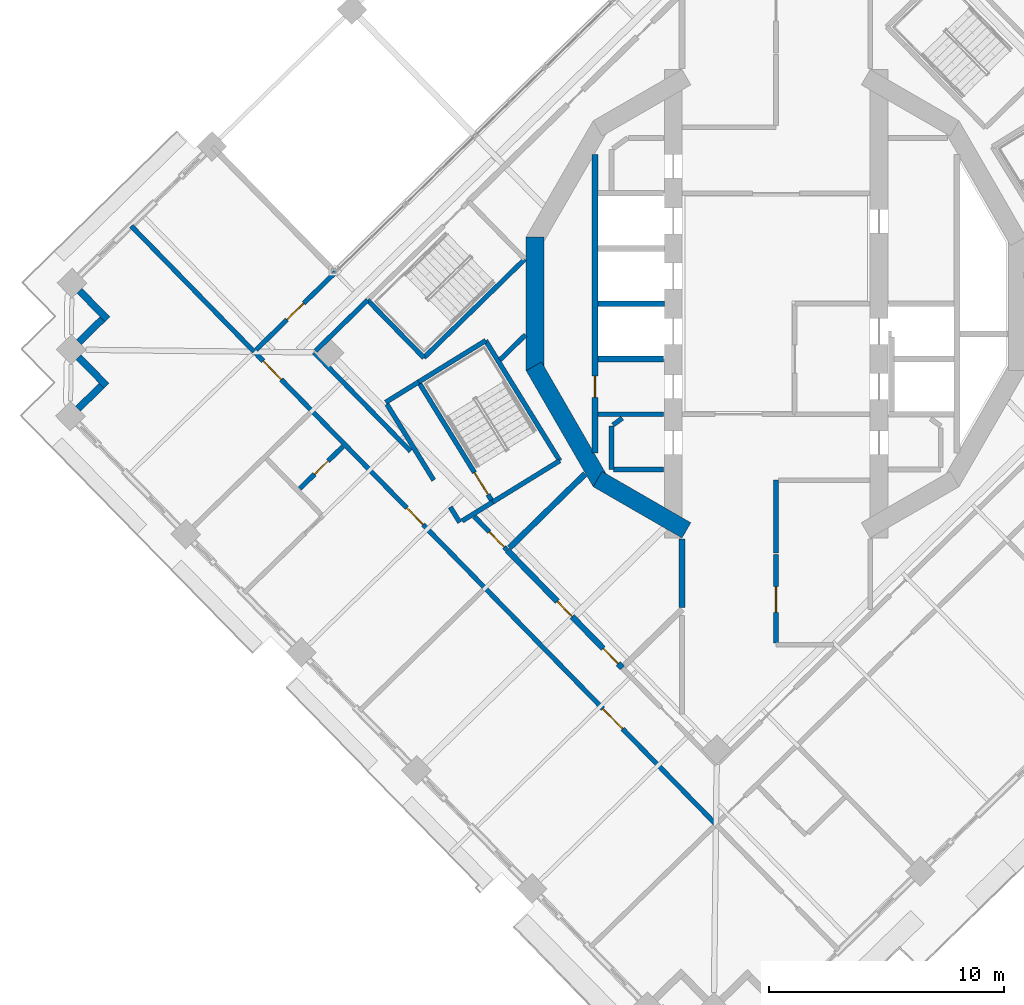
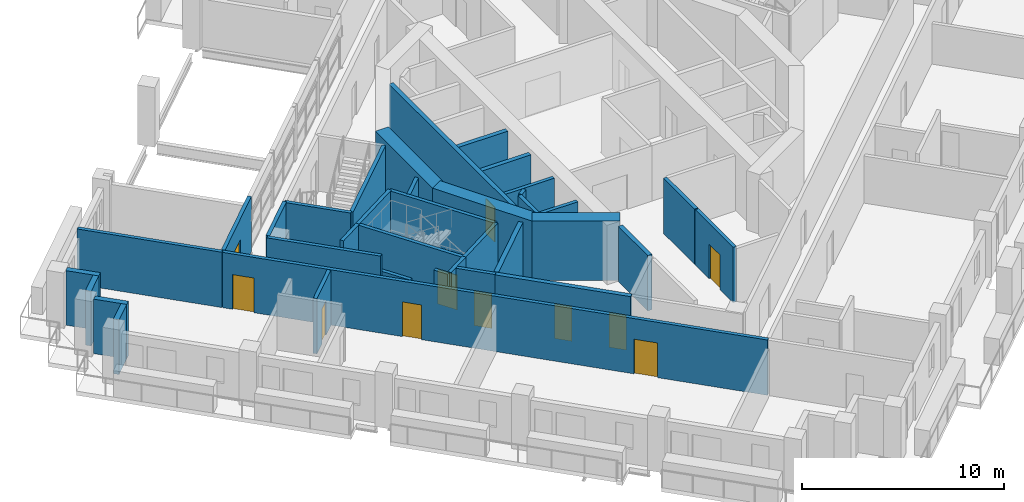
# One storey, part 8 of 21: 37 walls, 11 doors, 11 openings.
"""IFC4 building model written with IfcOpenShell, lengths in metres."""

import ifcopenshell
import ifcopenshell.guid

model = None  # the IFC model being written
_history = None  # IfcOwnerHistory: only IFC2X3 demands one
_inside = {}  # id of a spatial element -> (the spatial element, [elements in it])
_under = {}  # id of a project, library or spatial element -> (it, [spatial elements below it])
_declared = {}  # id of a project -> (the project, [libraries it declares])
_typed = {}  # id of a type object -> (the type object, [elements of that type])
_made_of = {}  # id of a material, layer set ... -> (it, [elements and type objects made of it])


def new_model(schema):
    """Start an empty IFC model of exactly this schema.

    Asked for "IFC4X3", IfcOpenShell would pick the latest addendum, in which some entities
    have other attributes; the version numbers below select the first issue.
    IFC2X3 requires an IfcOwnerHistory on every rooted entity: one is made here for all.
    """
    global model, _history
    if schema == "IFC4X3":
        model = ifcopenshell.file(schema_version=(4, 3, 0, 0))
    else:
        model = ifcopenshell.file(schema=schema)
    _inside.clear()
    _under.clear()
    _declared.clear()
    _typed.clear()
    _made_of.clear()
    _history = None
    if model.schema == "IFC2X3":
        org = make("IfcOrganization", Name="unknown")
        user = make(
            "IfcPersonAndOrganization",
            ThePerson=make("IfcPerson", FamilyName="unknown"),
            TheOrganization=org,
        )
        app = make(
            "IfcApplication",
            ApplicationDeveloper=org,
            Version="unknown",
            ApplicationFullName="unknown",
            ApplicationIdentifier="unknown",
        )
        _history = make(
            "IfcOwnerHistory",
            OwningUser=user,
            OwningApplication=app,
            ChangeAction="ADDED",
            CreationDate=0,
        )
    return model


def make(cls, **values):
    """One entity of the class cls with the attributes given. An attribute that is None is left unset."""
    return model.create_entity(
        cls, **{name: value for name, value in values.items() if value is not None}
    )


def rooted(cls, **values):
    """An entity with a GlobalId (a new one), such as an element, a storey or a relation."""
    return make(cls, GlobalId=ifcopenshell.guid.new(), OwnerHistory=_history, **values)


def si_unit(unit_type, name, prefix=None):
    """IfcSIUnit, for example si_unit("LENGTHUNIT", "METRE", prefix="MILLI")."""
    return make("IfcSIUnit", UnitType=unit_type, Prefix=prefix, Name=name)


def assignment(units):
    """IfcUnitAssignment: the units of a project."""
    return None if units is None else make("IfcUnitAssignment", Units=units)


def point(xyz):
    """IfcCartesianPoint."""
    return None if xyz is None else make("IfcCartesianPoint", Coordinates=xyz)


def direction(xyz):
    """IfcDirection."""
    return None if xyz is None else make("IfcDirection", DirectionRatios=xyz)


def frame(location, z_axis=None, x_axis=None):
    """IfcAxis2Placement3D, a coordinate frame: its origin and axes. An axis left out is left unset."""
    return make(
        "IfcAxis2Placement3D",
        Location=point(location),
        Axis=direction(z_axis),
        RefDirection=direction(x_axis),
    )


def frame_2d(location, x_axis=None):
    """IfcAxis2Placement2D, a coordinate frame in the plane: its origin and x axis."""
    return make(
        "IfcAxis2Placement2D", Location=point(location), RefDirection=direction(x_axis)
    )


def origin():
    """The frame at (0, 0, 0) with its axes left unset."""
    return frame((0.0, 0.0, 0.0))


def place(relative_to, where):
    """IfcLocalPlacement: puts the frame where relative to a parent placement (None: the world)."""
    return make(
        "IfcLocalPlacement", PlacementRelTo=relative_to, RelativePlacement=where
    )


def context(
    kind, dimensions, precision=None, world=None, true_north=None, identifier=None
):
    """IfcGeometricRepresentationContext, for example the 3D "Model" context."""
    return make(
        "IfcGeometricRepresentationContext",
        ContextIdentifier=identifier,
        ContextType=kind,
        CoordinateSpaceDimension=dimensions,
        Precision=precision,
        WorldCoordinateSystem=world,
        TrueNorth=true_north,
    )


def subcontext(parent, identifier, kind, view, scale=None):
    """IfcGeometricRepresentationSubContext, for example "Body" below "Model"."""
    return make(
        "IfcGeometricRepresentationSubContext",
        ContextIdentifier=identifier,
        ContextType=kind,
        ParentContext=parent,
        TargetScale=scale,
        TargetView=view,
    )


def project(units=None, contexts=None):
    """IfcProject with its units and contexts."""
    return rooted(
        "IfcProject",
        Name="project",
        RepresentationContexts=contexts,
        UnitsInContext=assignment(units),
    )


def spatial(cls, under=None, at=None, **own):
    """A site, building, storey or space (cls), placed at a placement, below another one or the project."""
    s = rooted(cls, ObjectPlacement=at, **own)
    if under is not None:
        _under.setdefault(under.id(), (under, []))[1].append(s)
    return s


def profile(cls, at=None, kind="AREA", **sizes):
    """A parametric profile (cls). Its sizes go by their IFC names, for example OverallWidth=200.0."""
    return make(cls, ProfileType=kind, Position=at, **sizes)


def rectangle(**sizes):
    """IfcRectangleProfileDef."""
    return profile("IfcRectangleProfileDef", **sizes)


def extrude(swept, where, along, depth):
    """IfcExtrudedAreaSolid: the profile swept, set in the frame where, extruded along a direction by depth."""
    return make(
        "IfcExtrudedAreaSolid",
        SweptArea=swept,
        Position=where,
        ExtrudedDirection=direction(along),
        Depth=depth,
    )


def shape(context_of_items, identifier, shape_type, items):
    """IfcShapeRepresentation: the items that make up one representation, for example the "Body"."""
    return make(
        "IfcShapeRepresentation",
        ContextOfItems=context_of_items,
        RepresentationIdentifier=identifier,
        RepresentationType=shape_type,
        Items=items,
    )


def material(Name=None, Category=None):
    """IfcMaterial."""
    return make("IfcMaterial", Name=Name, Category=Category)


def layer(
    of_material, thickness, ventilated=None, Name=None, Category=None, Priority=None
):
    """IfcMaterialLayer: one layer of a wall or slab, of a material (None: an air gap)."""
    return make(
        "IfcMaterialLayer",
        Material=of_material,
        LayerThickness=thickness,
        IsVentilated=ventilated,
        Name=Name,
        Category=Category,
        Priority=Priority,
    )


def layer_set(layers, Name=None):
    """IfcMaterialLayerSet."""
    return make("IfcMaterialLayerSet", MaterialLayers=layers, LayerSetName=Name)


def made_of(thing, what):
    """Note that an element or type object is made of a material, layer set ...; save() writes the relation."""
    if what is not None:
        _made_of.setdefault(what.id(), (what, []))[1].append(thing)
    return thing


def type_object(cls, material=None, **own):
    """A type object (cls), such as IfcWallType, which elements share."""
    return made_of(rooted(cls, **own), material)


def element(
    cls,
    number,
    at=None,
    inside=None,
    cuts=None,
    type_object=None,
    material=None,
    context=None,
    identifier="Body",
    shape_type=None,
    held_by="IfcProductDefinitionShape",
    body=None,
    shapes=None,
    **own,
):
    """One element of the class cls, such as IfcWall. Its Tag is "e" and its number.

    at: its placement. inside: the storey or other place that contains it. cuts: it is an
    opening in that element (IfcRelVoidsElement). A single representation is given by context,
    identifier, shape_type and body (its items); several are given by shapes. held_by: the class
    of the entity that holds the representations. save() writes the other relations.
    """
    e = rooted(cls, Tag="e%d" % number, ObjectPlacement=at, **own)
    if body is not None:
        shapes = [shape(context, identifier, shape_type, body)]
    if shapes is not None:
        e.Representation = make(held_by, Representations=shapes)
    if inside is not None:
        _inside.setdefault(inside.id(), (inside, []))[1].append(e)
    if cuts is not None:
        rooted(
            "IfcRelVoidsElement", RelatingBuildingElement=cuts, RelatedOpeningElement=e
        )
    if type_object is not None:
        _typed.setdefault(type_object.id(), (type_object, []))[1].append(e)
    return made_of(e, material)


def fill(opening, filler):
    """IfcRelFillsElement: the door or window that sits in an opening."""
    return rooted(
        "IfcRelFillsElement",
        RelatingOpeningElement=opening,
        RelatedBuildingElement=filler,
    )


def aggregate(whole, parts):
    """IfcRelAggregates: a whole, such as a stair, and the parts it consists of."""
    return rooted("IfcRelAggregates", RelatingObject=whole, RelatedObjects=parts)


def save(model, path):
    """Write the relations noted so far, then the file.

    IfcRelAggregates (storeys below a building ...), IfcRelContainedInSpatialStructure (elements
    in a storey), IfcRelDefinesByType, IfcRelAssociatesMaterial and IfcRelDeclares: one each for
    every whole, place, type object, material and project.
    """
    for whole, parts in _under.values():
        aggregate(whole, parts)
    for where, things in _inside.values():
        rooted(
            "IfcRelContainedInSpatialStructure",
            RelatedElements=things,
            RelatingStructure=where,
        )
    for kind, things in _typed.values():
        rooted("IfcRelDefinesByType", RelatedObjects=things, RelatingType=kind)
    for what, things in _made_of.values():
        rooted("IfcRelAssociatesMaterial", RelatedObjects=things, RelatingMaterial=what)
    for by, libraries in _declared.values():
        rooted("IfcRelDeclares", RelatingContext=by, RelatedDefinitions=libraries)
    model.write(path)


model = new_model("IFC4")

# Units and contexts
model_context = context("Model", 3, precision=1e-05, world=origin(), true_north=direction((0.0, 1.0)))
body_context = subcontext(model_context, "Body", "Model", "MODEL_VIEW")
ifc_project = project(units=[si_unit("LENGTHUNIT", "METRE"), si_unit("AREAUNIT", "SQUARE_METRE"), si_unit("VOLUMEUNIT", "CUBIC_METRE"), si_unit("PLANEANGLEUNIT", "RADIAN"), si_unit("MASSUNIT", "GRAM", prefix="KILO")], contexts=[model_context])

# Site, building, storey
site_placement = place(None, origin())
site = spatial("IfcSite", under=ifc_project, at=site_placement, CompositionType="ELEMENT")
building_placement = place(site_placement, origin())
building = spatial("IfcBuilding", under=site, at=building_placement, Name="Cantera Rosa Tower", CompositionType="ELEMENT")
storey_placement = place(building_placement, frame((0.0, 0.0, 234.199951171875)))
storey = spatial("IfcBuildingStorey", under=building, at=storey_placement, Name="L51", CompositionType="ELEMENT", Elevation=234.199951171875)

# Wall
ifc_material_1 = material(Name="Gypsum board partition")
ifc_layer_1 = layer(ifc_material_1, 0.199951171875)
ifc_layer_set_1 = layer_set([ifc_layer_1], Name="CORRIDOR WALL 200 H2300")
wall_type_1 = type_object("IfcWallType", Name="CORRIDOR WALL 200 H2300", PredefinedType="PARTITIONING", material=ifc_layer_set_1)
wall_1_placement = place(storey_placement, frame((-16.548095703125, -4.274658203125, 0.0), z_axis=(0.0, 0.0, 1.0), x_axis=(0.524970357961, -0.851120510423, 0.0)))
element("IfcWall", 1, at=wall_1_placement, inside=storey, type_object=wall_type_1, Name="CORRIDOR WALL L51-011", PredefinedType="PARTITIONING", context=body_context, shape_type="SweptSolid", body=[
    extrude(rectangle(XDim=3.790771484375, YDim=0.199951171875, at=frame_2d((1.8955078125, 0.0))), origin(), (0.0, 0.0, 1.0), 2.300048828125),
])

# Wall, openings, doors
ifc_material_2 = material(Name="Gypsum board partition")
ifc_layer_2 = layer(ifc_material_2, 0.199951171875)
ifc_layer_set_2 = layer_set([ifc_layer_2], Name="CORRIDOR WALL 200 H3350")
wall_type_2 = type_object("IfcWallType", Name="CORRIDOR WALL 200 H3350", PredefinedType="PARTITIONING", material=ifc_layer_set_2)
wall_2_placement = place(storey_placement, frame((-22.17919921875, -2.05419921875, 0.0), z_axis=(0.0, 0.0, 1.0), x_axis=(0.698829646007, -0.715288141844, 0.0)))
wall_2 = element("IfcWall", 2, at=wall_2_placement, inside=storey, type_object=wall_type_2, Name="CORRIDOR WALL L51-004", PredefinedType="PARTITIONING", context=body_context, shape_type="SweptSolid", body=[
    extrude(rectangle(XDim=28.080322265625, YDim=0.199951171875, at=frame_2d((14.0400390625, 0.0))), origin(), (0.0, 0.0, 1.0), 3.35009765625),
])
opening_1_placement = place(wall_2_placement, frame((21.199951171875, 0.0, 0.0)))
opening_1 = element("IfcOpeningElement", 3, at=opening_1_placement, cuts=wall_2, Name="Opening L51-038", PredefinedType="OPENING", context=body_context, shape_type="SweptSolid", body=[
    extrude(rectangle(XDim=1.199951171875, YDim=2.10009765625, at=frame_2d((0.60009765625, 1.050048828125))), frame((0.0, 0.10986328125, 0.0), z_axis=(0.0, -1.0, 0.0), x_axis=(1.0, 0.0, 0.0)), (0.0, 0.0, 1.0), 0.219970703125),
])
opening_2_placement = place(wall_2_placement, frame((9.264892578125, 0.0, 0.0)))
opening_2 = element("IfcOpeningElement", 4, at=opening_2_placement, cuts=wall_2, Name="Opening L51-039", PredefinedType="OPENING", context=body_context, shape_type="SweptSolid", body=[
    extrude(rectangle(XDim=1.0, YDim=2.10009765625, at=frame_2d((0.5, 1.050048828125))), frame((0.0, 0.10986328125, 0.0), z_axis=(0.0, -1.0, 0.0), x_axis=(1.0, 0.0, 0.0)), (0.0, 0.0, 1.0), 0.219970703125),
])
opening_3_placement = place(wall_2_placement, frame((0.530029296875, 0.0, 0.0)))
opening_3 = element("IfcOpeningElement", 5, at=opening_3_placement, cuts=wall_2, Name="Opening L51-042", PredefinedType="OPENING", context=body_context, shape_type="SweptSolid", body=[
    extrude(rectangle(XDim=1.10009765625, YDim=2.10009765625, at=frame_2d((0.550048828125, 1.050048828125))), frame((0.0, 0.10986328125, 0.0), z_axis=(0.0, -1.0, 0.0), x_axis=(1.0, 0.0, 0.0)), (0.0, 0.0, 1.0), 0.219970703125),
])
ifc_material_3 = material(Name="Timber door leaf", Category="wood")
door_type_1 = type_object("IfcDoorType", Name="ENTRANCE DOOR 1000x2100", OperationType="NOTDEFINED", PredefinedType="DOOR", material=ifc_material_3)
door_1_placement = place(opening_2_placement, origin())
door_1 = element("IfcDoor", 6, at=door_1_placement, inside=storey, type_object=door_type_1, Name="DOOR L51-039", OperationType="NOTDEFINED", OverallHeight=2.10009765625, OverallWidth=1.0, PredefinedType="DOOR", context=body_context, shape_type="SweptSolid", body=[
    extrude(rectangle(XDim=1.0, YDim=2.10009765625, at=frame_2d((0.5, 1.050048828125))), frame((0.0, 0.02490234375, 0.0), z_axis=(0.0, -1.0, 0.0), x_axis=(1.0, 0.0, 0.0)), (0.0, 0.0, 1.0), 0.050048828125),
])
fill(opening_2, door_1)
ifc_material_4 = material(Name="Timber door leaf", Category="wood")
door_type_2 = type_object("IfcDoorType", Name="ROOM DOOR 1100x2100", OperationType="NOTDEFINED", PredefinedType="DOOR", material=ifc_material_4)
door_2_placement = place(opening_3_placement, origin())
door_2 = element("IfcDoor", 7, at=door_2_placement, inside=storey, type_object=door_type_2, Name="DOOR L51-042", OperationType="NOTDEFINED", OverallHeight=2.10009765625, OverallWidth=1.10009765625, PredefinedType="DOOR", context=body_context, shape_type="SweptSolid", body=[
    extrude(rectangle(XDim=1.10009765625, YDim=2.10009765625, at=frame_2d((0.550048828125, 1.050048828125))), frame((0.0, 0.02490234375, 0.0), z_axis=(0.0, -1.0, 0.0), x_axis=(1.0, 0.0, 0.0)), (0.0, 0.0, 1.0), 0.050048828125),
])
fill(opening_3, door_2)
ifc_material_5 = material(Name="Timber door leaf", Category="wood")
door_type_3 = type_object("IfcDoorType", Name="ROOM DOOR 1200x2100", OperationType="NOTDEFINED", PredefinedType="DOOR", material=ifc_material_5)
door_3_placement = place(opening_1_placement, origin())
door_3 = element("IfcDoor", 8, at=door_3_placement, inside=storey, type_object=door_type_3, Name="DOOR L51-038", OperationType="NOTDEFINED", OverallHeight=2.10009765625, OverallWidth=1.199951171875, PredefinedType="DOOR", context=body_context, shape_type="SweptSolid", body=[
    extrude(rectangle(XDim=1.199951171875, YDim=2.10009765625, at=frame_2d((0.60009765625, 1.050048828125))), frame((0.0, 0.02490234375, 0.0), z_axis=(0.0, -1.0, 0.0), x_axis=(1.0, 0.0, 0.0)), (0.0, 0.0, 1.0), 0.050048828125),
])
fill(opening_1, door_3)

# Walls
wall_3_placement = place(storey_placement, frame((-19.647705078125, -2.069580078125, 0.0), z_axis=(0.0, 0.0, 1.0), x_axis=(0.698845926006, -0.715272236079, 0.0)))
element("IfcWall", 9, at=wall_3_placement, inside=storey, type_object=wall_type_2, Name="CORRIDOR WALL L51-005", PredefinedType="PARTITIONING", context=body_context, shape_type="SweptSolid", body=[
    extrude(rectangle(XDim=5.870849609375, YDim=0.199951171875, at=frame_2d((2.935546875, 0.0))), origin(), (0.0, 0.0, 1.0), 3.35009765625),
])
wall_4_placement = place(storey_placement, frame((-17.36962890625, 0.156005859375, 0.0), z_axis=(0.0, 0.0, 1.0), x_axis=(-0.715289693103, -0.69882805821, 0.0)))
element("IfcWall", 10, at=wall_4_placement, inside=storey, type_object=wall_type_2, Name="CORRIDOR WALL L51-009", PredefinedType="PARTITIONING", context=body_context, shape_type="SweptSolid", body=[
    extrude(rectangle(XDim=3.084716796875, YDim=0.199951171875, at=frame_2d((1.54248046875, 0.0))), origin(), (0.0, 0.0, 1.0), 3.35009765625),
])
wall_5_placement = place(storey_placement, frame((-16.6005859375, -4.189697265625, 0.0), z_axis=(0.0, 0.0, 1.0), x_axis=(0.8510360128, 0.525107327047, 0.0)))
element("IfcWall", 11, at=wall_5_placement, inside=storey, type_object=wall_type_2, Name="CORRIDOR WALL L51-010", PredefinedType="PARTITIONING", context=body_context, shape_type="SweptSolid", body=[
    extrude(rectangle(XDim=1.64501953125, YDim=0.199951171875, at=frame_2d((0.822509765625, 0.0))), origin(), (0.0, 0.0, 1.0), 3.35009765625),
])
wall_6_placement = place(storey_placement, frame((-13.8525390625, -8.64501953125, 0.0), z_axis=(0.0, 0.0, 1.0), x_axis=(0.52482706305, -0.851208877944, 0.0)))
element("IfcWall", 12, at=wall_6_placement, inside=storey, type_object=wall_type_2, Name="CORRIDOR WALL L51-012", PredefinedType="PARTITIONING", context=body_context, shape_type="SweptSolid", body=[
    extrude(rectangle(XDim=0.76513671875, YDim=0.199951171875, at=frame_2d((0.382568359375, 0.0))), origin(), (0.0, 0.0, 1.0), 3.35009765625),
])
wall_7_placement = place(storey_placement, frame((-13.3486328125, -9.2333984375, 0.0), z_axis=(0.0, 0.0, 1.0), x_axis=(0.851042101438, 0.525097459126, 0.0)))
element("IfcWall", 13, at=wall_7_placement, inside=storey, type_object=wall_type_2, Name="CORRIDOR WALL L51-015", PredefinedType="PARTITIONING", context=body_context, shape_type="SweptSolid", body=[
    extrude(rectangle(XDim=1.52490234375, YDim=0.199951171875, at=frame_2d((0.762451171875, 0.0))), origin(), (0.0, 0.0, 1.0), 3.35009765625),
])

# Wall, opening, door
wall_8_placement = place(storey_placement, frame((-12.828125, -9.0498046875, 0.0), z_axis=(0.0, 0.0, 1.0), x_axis=(0.698907294962, -0.715212271322, 0.0)))
wall_8 = element("IfcWall", 14, at=wall_8_placement, inside=storey, type_object=wall_type_2, Name="CORRIDOR WALL L51-017", PredefinedType="PARTITIONING", context=body_context, shape_type="SweptSolid", body=[
    extrude(rectangle(XDim=1.991455078125, YDim=0.199951171875, at=frame_2d((0.99560546875, 0.0))), origin(), (0.0, 0.0, 1.0), 3.35009765625),
])
opening_4_placement = place(wall_8_placement, frame((0.908203125, 0.0, 0.0)))
opening_4 = element("IfcOpeningElement", 15, at=opening_4_placement, cuts=wall_8, Name="Opening L51-009", PredefinedType="OPENING", context=body_context, shape_type="SweptSolid", body=[
    extrude(rectangle(XDim=0.89990234375, YDim=2.10009765625, at=frame_2d((0.449951171875, 1.050048828125))), frame((0.0, 0.10986328125, 0.0), z_axis=(0.0, -1.0, 0.0), x_axis=(1.0, 0.0, 0.0)), (0.0, 0.0, 1.0), 0.219970703125),
])
ifc_material_6 = material(Name="Timber door leaf", Category="wood")
door_type_4 = type_object("IfcDoorType", Name="SERVICE DOOR 900x2100", OperationType="NOTDEFINED", PredefinedType="DOOR", material=ifc_material_6)
door_4_placement = place(opening_4_placement, origin())
door_4 = element("IfcDoor", 16, at=door_4_placement, inside=storey, type_object=door_type_4, Name="DOOR L51-009", OperationType="NOTDEFINED", OverallHeight=2.10009765625, OverallWidth=0.89990234375, PredefinedType="DOOR", context=body_context, shape_type="SweptSolid", body=[
    extrude(rectangle(XDim=0.89990234375, YDim=2.10009765625, at=frame_2d((0.449951171875, 1.050048828125))), frame((0.0, 0.02490234375, 0.0), z_axis=(0.0, -1.0, 0.0), x_axis=(1.0, 0.0, 0.0)), (0.0, 0.0, 1.0), 0.050048828125),
])
fill(opening_4, door_4)

wall_9_placement = place(storey_placement, frame((0.0, -10.6552734375, 0.0), z_axis=(0.0, 0.0, 1.0), x_axis=(0.0, -1.0, 0.0)))
wall_9 = element("IfcWall", 17, at=wall_9_placement, inside=storey, type_object=wall_type_2, Name="CORRIDOR WALL L51-057", PredefinedType="PARTITIONING", context=body_context, shape_type="SweptSolid", body=[
    extrude(rectangle(XDim=3.7646484375, YDim=0.199951171875, at=frame_2d((1.88232421875, 0.0))), origin(), (0.0, 0.0, 1.0), 3.35009765625),
])
opening_5_placement = place(wall_9_placement, frame((1.372314453125, 0.0, 0.0)))
opening_5 = element("IfcOpeningElement", 18, at=opening_5_placement, cuts=wall_9, Name="Opening L51-019", PredefinedType="OPENING", context=body_context, shape_type="SweptSolid", body=[
    extrude(rectangle(XDim=1.10009765625, YDim=2.10009765625, at=frame_2d((0.550048828125, 1.050048828125))), frame((0.0, 0.10986328125, 0.0), z_axis=(0.0, -1.0, 0.0), x_axis=(1.0, 0.0, 0.0)), (0.0, 0.0, 1.0), 0.219970703125),
])
door_5_placement = place(opening_5_placement, origin())
door_5 = element("IfcDoor", 19, at=door_5_placement, inside=storey, type_object=door_type_2, Name="DOOR L51-019", OperationType="NOTDEFINED", OverallHeight=2.10009765625, OverallWidth=1.10009765625, PredefinedType="DOOR", context=body_context, shape_type="SweptSolid", body=[
    extrude(rectangle(XDim=1.10009765625, YDim=2.10009765625, at=frame_2d((0.550048828125, 1.050048828125))), frame((0.0, 0.02490234375, 0.0), z_axis=(0.0, -1.0, 0.0), x_axis=(1.0, 0.0, 0.0)), (0.0, 0.0, 1.0), 0.050048828125),
])
fill(opening_5, door_5)

# Wall
wall_10_placement = place(storey_placement, frame((0.0, -7.5, 0.0), z_axis=(0.0, 0.0, 1.0), x_axis=(0.0, -1.0, 0.0)))
element("IfcWall", 20, at=wall_10_placement, inside=storey, type_object=wall_type_2, Name="CORRIDOR WALL L51-058", PredefinedType="PARTITIONING", context=body_context, shape_type="SweptSolid", body=[
    extrude(rectangle(XDim=3.09521484375, YDim=0.199951171875, at=frame_2d((1.547607421875, 0.0))), origin(), (0.0, 0.0, 1.0), 3.35009765625),
])

# Wall, opening, door
wall_11_placement = place(storey_placement, frame((-18.656005859375, 1.415771484375, 0.0), z_axis=(0.0, 0.0, 1.0), x_axis=(-0.715256178236, -0.698862360908, 0.0)))
wall_11 = element("IfcWall", 21, at=wall_11_placement, inside=storey, type_object=wall_type_2, Name="CORRIDOR WALL L51-071", PredefinedType="PARTITIONING", context=body_context, shape_type="SweptSolid", body=[
    extrude(rectangle(XDim=4.8251953125, YDim=0.199951171875, at=frame_2d((2.41259765625, 0.0))), origin(), (0.0, 0.0, 1.0), 3.35009765625),
])
opening_6_placement = place(wall_11_placement, frame((1.9951171875, 0.0, 0.0)))
opening_6 = element("IfcOpeningElement", 22, at=opening_6_placement, cuts=wall_11, Name="Opening L51-037", PredefinedType="OPENING", context=body_context, shape_type="SweptSolid", body=[
    extrude(rectangle(XDim=1.0, YDim=2.10009765625, at=frame_2d((0.5, 1.050048828125))), frame((0.0, 0.10986328125, 0.0), z_axis=(0.0, -1.0, 0.0), x_axis=(1.0, 0.0, 0.0)), (0.0, 0.0, 1.0), 0.219970703125),
])
ifc_material_7 = material(Name="Timber door leaf", Category="wood")
door_type_5 = type_object("IfcDoorType", Name="ROOM DOOR 1000x2100", OperationType="NOTDEFINED", PredefinedType="DOOR", material=ifc_material_7)
door_6_placement = place(opening_6_placement, origin())
door_6 = element("IfcDoor", 23, at=door_6_placement, inside=storey, type_object=door_type_5, Name="DOOR L51-037", OperationType="NOTDEFINED", OverallHeight=2.10009765625, OverallWidth=1.0, PredefinedType="DOOR", context=body_context, shape_type="SweptSolid", body=[
    extrude(rectangle(XDim=1.0, YDim=2.10009765625, at=frame_2d((0.5, 1.050048828125))), frame((0.0, 0.02490234375, 0.0), z_axis=(0.0, -1.0, 0.0), x_axis=(1.0, 0.0, 0.0)), (0.0, 0.0, 1.0), 0.050048828125),
])
fill(opening_6, door_6)

# Walls
ifc_material_8 = material(Name="Hollow clay masonry with cantera stone cladding", Category="masonry")
ifc_layer_3 = layer(ifc_material_8, 0.300048828125)
ifc_layer_set_3 = layer_set([ifc_layer_3], Name="EW-LOGGIA 300")
wall_type_3 = type_object("IfcWallType", Name="EW-LOGGIA 300", PredefinedType="SOLIDWALL", material=ifc_layer_set_3)
wall_12_placement = place(storey_placement, frame((-29.623291015625, 0.556884765625, 0.0), z_axis=(0.0, 0.0, 1.0), x_axis=(0.69880105094, -0.715316077832, 0.0)))
element("IfcWall", 24, at=wall_12_placement, inside=storey, type_object=wall_type_3, Name="EN-L51-W12a", PredefinedType="SOLIDWALL", context=body_context, shape_type="SweptSolid", body=[
    extrude(rectangle(XDim=1.699951171875, YDim=0.300048828125, at=frame_2d((0.85009765625, 0.0))), origin(), (0.0, 0.0, 1.0), 3.300048828125),
])
wall_13_placement = place(storey_placement, frame((-28.6474609375, -0.65673828125, 0.0), z_axis=(0.0, 0.0, 1.0), x_axis=(-0.715341715727, -0.698774806172, 0.0)))
element("IfcWall", 25, at=wall_13_placement, inside=storey, type_object=wall_type_3, Name="EN-L51-W12b", PredefinedType="SOLIDWALL", context=body_context, shape_type="SweptSolid", body=[
    extrude(rectangle(XDim=1.39990234375, YDim=0.300048828125, at=frame_2d((0.699951171875, 0.0))), origin(), (0.0, 0.0, 1.0), 3.300048828125),
])
wall_14_placement = place(storey_placement, frame((-29.65625, -2.271484375, 0.0), z_axis=(0.0, 0.0, 1.0), x_axis=(0.698872839675, -0.715245939495, 0.0)))
element("IfcWall", 26, at=wall_14_placement, inside=storey, type_object=wall_type_3, Name="EN-L51-W13a", PredefinedType="SOLIDWALL", context=body_context, shape_type="SweptSolid", body=[
    extrude(rectangle(XDim=1.699951171875, YDim=0.300048828125, at=frame_2d((0.85009765625, 0.0))), origin(), (0.0, 0.0, 1.0), 3.300048828125),
])
wall_15_placement = place(storey_placement, frame((-28.680419921875, -3.48486328125, 0.0), z_axis=(0.0, 0.0, 1.0), x_axis=(-0.71516937164, -0.698951192766, 0.0)))
element("IfcWall", 27, at=wall_15_placement, inside=storey, type_object=wall_type_3, Name="EN-L51-W13b", PredefinedType="SOLIDWALL", context=body_context, shape_type="SweptSolid", body=[
    extrude(rectangle(XDim=1.39990234375, YDim=0.300048828125, at=frame_2d((0.699951171875, 0.0))), origin(), (0.0, 0.0, 1.0), 3.300048828125),
])
ifc_material_9 = material(Name="Gypsum board partition")
ifc_layer_4 = layer(ifc_material_9, 0.199951171875)
ifc_layer_set_4 = layer_set([ifc_layer_4], Name="PARTITION 200 H3350")
wall_type_4 = type_object("IfcWallType", Name="PARTITION 200 H3350", PredefinedType="PARTITIONING", material=ifc_layer_set_4)
wall_16_placement = place(storey_placement, frame((-22.193115234375, -2.0400390625, 0.0), z_axis=(0.0, 0.0, 1.0), x_axis=(-0.69882275932, 0.715294870006, 0.0)))
element("IfcWall", 28, at=wall_16_placement, inside=storey, type_object=wall_type_4, Name="PARTITION L51-003", PredefinedType="PARTITIONING", context=body_context, shape_type="SweptSolid", body=[
    extrude(rectangle(XDim=7.469970703125, YDim=0.199951171875, at=frame_2d((3.73486328125, 0.0))), origin(), (0.0, 0.0, 1.0), 3.35009765625),
])

# Wall, opening, door
wall_17_placement = place(storey_placement, frame((-18.42138671875, -6.072265625, 0.0), z_axis=(0.0, 0.0, 1.0), x_axis=(-0.715260872502, -0.698857556493, 0.0)))
wall_17 = element("IfcWall", 29, at=wall_17_placement, inside=storey, type_object=wall_type_4, Name="PARTITION L51-008", PredefinedType="PARTITIONING", context=body_context, shape_type="SweptSolid", body=[
    extrude(rectangle(XDim=2.56005859375, YDim=0.199951171875, at=frame_2d((1.280029296875, 0.0))), origin(), (0.0, 0.0, 1.0), 3.35009765625),
])
opening_7_placement = place(wall_17_placement, frame((0.8798828125, 0.0, 0.0)))
opening_7 = element("IfcOpeningElement", 30, at=opening_7_placement, cuts=wall_17, Name="Opening L51-040", PredefinedType="OPENING", context=body_context, shape_type="SweptSolid", body=[
    extrude(rectangle(XDim=0.800048828125, YDim=2.10009765625, at=frame_2d((0.39990234375, 1.050048828125))), frame((0.0, 0.10986328125, 0.0), z_axis=(0.0, -1.0, 0.0), x_axis=(1.0, 0.0, 0.0)), (0.0, 0.0, 1.0), 0.219970703125),
])
ifc_material_10 = material(Name="Timber door leaf", Category="wood")
door_type_6 = type_object("IfcDoorType", Name="BATHROOM DOOR 800x2100", OperationType="NOTDEFINED", PredefinedType="DOOR", material=ifc_material_10)
door_7_placement = place(opening_7_placement, origin())
door_7 = element("IfcDoor", 31, at=door_7_placement, inside=storey, type_object=door_type_6, Name="DOOR L51-040", OperationType="NOTDEFINED", OverallHeight=2.10009765625, OverallWidth=0.800048828125, PredefinedType="DOOR", context=body_context, shape_type="SweptSolid", body=[
    extrude(rectangle(XDim=0.800048828125, YDim=2.10009765625, at=frame_2d((0.39990234375, 1.050048828125))), frame((0.0, 0.02490234375, 0.0), z_axis=(0.0, -1.0, 0.0), x_axis=(1.0, 0.0, 0.0)), (0.0, 0.0, 1.0), 0.050048828125),
])
fill(opening_7, door_7)

# Walls
wall_18_placement = place(storey_placement, frame((-11.73486328125, -2.377685546875, 0.0), z_axis=(0.0, 0.0, 1.0), x_axis=(0.715227626276, 0.698891581443, 0.0)))
element("IfcWall", 32, at=wall_18_placement, inside=storey, type_object=wall_type_4, Name="PARTITION L51-022", PredefinedType="PARTITIONING", context=body_context, shape_type="SweptSolid", body=[
    extrude(rectangle(XDim=1.509521484375, YDim=0.199951171875, at=frame_2d((0.7548828125, 0.0))), origin(), (0.0, 0.0, 1.0), 3.35009765625),
])
wall_19_placement = place(storey_placement, frame((-7.0, -7.050048828125, 0.0), z_axis=(0.0, 0.0, 1.0), x_axis=(0.0, 1.0, 0.0)))
element("IfcWall", 33, at=wall_19_placement, inside=storey, type_object=wall_type_4, Name="PARTITION L51-035", PredefinedType="PARTITIONING", context=body_context, shape_type="SweptSolid", body=[
    extrude(rectangle(XDim=1.85009765625, YDim=0.199951171875, at=frame_2d((0.925048828125, 0.0))), origin(), (0.0, 0.0, 1.0), 3.35009765625),
])
wall_20_placement = place(storey_placement, frame((-6.935302734375, -5.15283203125, 0.0), z_axis=(0.0, 0.0, 1.0), x_axis=(0.808368872862, 0.588676282338, 0.0)))
element("IfcWall", 34, at=wall_20_placement, inside=storey, type_object=wall_type_4, Name="PARTITION L51-036", PredefinedType="PARTITIONING", context=body_context, shape_type="SweptSolid", body=[
    extrude(rectangle(XDim=0.489013671875, YDim=0.199951171875, at=frame_2d((0.24462890625, 0.0))), origin(), (0.0, 0.0, 1.0), 3.35009765625),
])
wall_21_placement = place(storey_placement, frame((-4.780029296875, -7.050048828125, 0.0), z_axis=(0.0, 0.0, 1.0), x_axis=(-1.0, 0.0, 0.0)))
element("IfcWall", 35, at=wall_21_placement, inside=storey, type_object=wall_type_4, Name="PARTITION L51-043", PredefinedType="PARTITIONING", context=body_context, shape_type="SweptSolid", body=[
    extrude(rectangle(XDim=2.139892578125, YDim=0.199951171875, at=frame_2d((1.06982421875, 0.0))), origin(), (0.0, 0.0, 1.0), 3.35009765625),
])
wall_22_placement = place(storey_placement, frame((-4.780029296875, -4.699951171875, 0.0), z_axis=(0.0, 0.0, 1.0), x_axis=(-1.0, 0.0, 0.0)))
element("IfcWall", 36, at=wall_22_placement, inside=storey, type_object=wall_type_4, Name="PARTITION L51-044", PredefinedType="PARTITIONING", context=body_context, shape_type="SweptSolid", body=[
    extrude(rectangle(XDim=2.794921875, YDim=0.199951171875, at=frame_2d((1.3974609375, 0.0))), origin(), (0.0, 0.0, 1.0), 3.35009765625),
])
ifc_material_11 = material(Name="Concrete C60/75", Category="concrete")
ifc_layer_5 = layer(ifc_material_11, 0.75)
ifc_layer_set_5 = layer_set([ifc_layer_5], Name="RC CORE WALL 750 C60/75")
wall_type_5 = type_object("IfcWallType", Name="RC CORE WALL 750 C60/75", PredefinedType="SHEAR", material=ifc_layer_set_5)
wall_23_placement = place(storey_placement, frame((-3.8125, -9.634765625, 0.0), z_axis=(0.0, 0.0, 1.0), x_axis=(-0.866013176292, 0.50002117804, 0.0)))
element("IfcWall", 37, at=wall_23_placement, inside=storey, type_object=wall_type_5, Name="CW-W1 L51", PredefinedType="SHEAR", context=body_context, shape_type="SweptSolid", body=[
    extrude(rectangle(XDim=4.362548828125, YDim=0.75, at=frame_2d((2.18115234375, 0.0))), origin(), (0.0, 0.0, 1.0), 3.60009765625),
])
wall_24_placement = place(storey_placement, frame((-7.453369140625, -7.590576171875, 0.0), z_axis=(0.0, 0.0, 1.0), x_axis=(-0.500021842983, 0.866012792365, 0.0)))
element("IfcWall", 38, at=wall_24_placement, inside=storey, type_object=wall_type_5, Name="CW-W2 L51", PredefinedType="SHEAR", context=body_context, shape_type="SweptSolid", body=[
    extrude(rectangle(XDim=5.694091796875, YDim=0.75, at=frame_2d((2.84716796875, 0.0))), origin(), (0.0, 0.0, 1.0), 3.60009765625),
])
wall_25_placement = place(storey_placement, frame((-10.250244140625, -2.846923828125, 0.0), z_axis=(0.0, 0.0, 1.0), x_axis=(0.0, 1.0, 0.0)))
element("IfcWall", 39, at=wall_25_placement, inside=storey, type_object=wall_type_5, Name="CW-W3 L51", PredefinedType="SHEAR", context=body_context, shape_type="SweptSolid", body=[
    extrude(rectangle(XDim=5.69384765625, YDim=0.75, at=frame_2d((2.846923828125, 0.0))), origin(), (0.0, 0.0, 1.0), 3.60009765625),
])

# Wall, openings, doors
ifc_material_12 = material(Name="Masonry blockwork", Category="masonry")
ifc_layer_6 = layer(ifc_material_12, 0.25)
ifc_layer_set_6 = layer_set([ifc_layer_6], Name="SHAFT WALL 250 H3350")
wall_type_6 = type_object("IfcWallType", Name="SHAFT WALL 250 H3350", PredefinedType="SOLIDWALL", material=ifc_layer_set_6)
wall_26_placement = place(storey_placement, frame((-11.42236328125, -10.488525390625, 0.0), z_axis=(0.0, 0.0, 1.0), x_axis=(0.698839423539, -0.715278589158, 0.0)))
wall_26 = element("IfcWall", 40, at=wall_26_placement, inside=storey, type_object=wall_type_6, Name="SHAFT WALL L51-023", PredefinedType="SOLIDWALL", context=body_context, shape_type="SweptSolid", body=[
    extrude(rectangle(XDim=6.97998046875, YDim=0.25, at=frame_2d((3.489990234375, 0.0))), origin(), (0.0, 0.0, 1.0), 3.35009765625),
])
opening_8_placement = place(wall_26_placement, frame((5.830078125, 0.0, 0.0)))
opening_8 = element("IfcOpeningElement", 41, at=opening_8_placement, cuts=wall_26, Name="Opening L51-010", PredefinedType="OPENING", context=body_context, shape_type="SweptSolid", body=[
    extrude(rectangle(XDim=0.89990234375, YDim=2.10009765625, at=frame_2d((0.449951171875, 1.050048828125))), frame((0.0, 0.135009765625, 0.0), z_axis=(0.0, -1.0, 0.0), x_axis=(1.0, 0.0, 0.0)), (0.0, 0.0, 1.0), 0.27001953125),
])
opening_9_placement = place(wall_26_placement, frame((3.030029296875, 0.0, 0.0)))
opening_9 = element("IfcOpeningElement", 42, at=opening_9_placement, cuts=wall_26, Name="Opening L51-052", PredefinedType="OPENING", context=body_context, shape_type="SweptSolid", body=[
    extrude(rectangle(XDim=0.89990234375, YDim=2.10009765625, at=frame_2d((0.449951171875, 1.050048828125))), frame((0.0, 0.135009765625, 0.0), z_axis=(0.0, -1.0, 0.0), x_axis=(1.0, 0.0, 0.0)), (0.0, 0.0, 1.0), 0.27001953125),
])
door_8_placement = place(opening_8_placement, origin())
door_8 = element("IfcDoor", 43, at=door_8_placement, inside=storey, type_object=door_type_4, Name="RISER DOOR L51-010", OperationType="NOTDEFINED", OverallHeight=2.10009765625, OverallWidth=0.89990234375, PredefinedType="DOOR", context=body_context, shape_type="SweptSolid", body=[
    extrude(rectangle(XDim=0.89990234375, YDim=2.10009765625, at=frame_2d((0.449951171875, 1.050048828125))), frame((0.0, 0.02490234375, 0.0), z_axis=(0.0, -1.0, 0.0), x_axis=(1.0, 0.0, 0.0)), (0.0, 0.0, 1.0), 0.050048828125),
])
fill(opening_8, door_8)
door_9_placement = place(opening_9_placement, origin())
door_9 = element("IfcDoor", 44, at=door_9_placement, inside=storey, type_object=door_type_4, Name="RISER DOOR L51-052", OperationType="NOTDEFINED", OverallHeight=2.10009765625, OverallWidth=0.89990234375, PredefinedType="DOOR", context=body_context, shape_type="SweptSolid", body=[
    extrude(rectangle(XDim=0.89990234375, YDim=2.10009765625, at=frame_2d((0.449951171875, 1.050048828125))), frame((0.0, 0.02490234375, 0.0), z_axis=(0.0, -1.0, 0.0), x_axis=(1.0, 0.0, 0.0)), (0.0, 0.0, 1.0), 0.050048828125),
])
fill(opening_9, door_9)

# Walls
wall_27_placement = place(storey_placement, frame((-8.12451171875, -7.238525390625, 0.0), z_axis=(0.0, 0.0, 1.0), x_axis=(-0.715269352267, -0.698848877589, 0.0)))
element("IfcWall", 45, at=wall_27_placement, inside=storey, type_object=wall_type_6, Name="SHAFT WALL L51-027", PredefinedType="SOLIDWALL", context=body_context, shape_type="SweptSolid", body=[
    extrude(rectangle(XDim=4.490234375, YDim=0.25, at=frame_2d((2.2451171875, 0.0))), origin(), (0.0, 0.0, 1.0), 3.35009765625),
])
wall_28_placement = place(storey_placement, frame((-7.574951171875, -2.35009765625, 0.0), z_axis=(0.0, 0.0, 1.0), x_axis=(1.0, 0.0, 0.0)))
element("IfcWall", 46, at=wall_28_placement, inside=storey, type_object=wall_type_6, Name="SHAFT WALL L51-029", PredefinedType="SOLIDWALL", context=body_context, shape_type="SweptSolid", body=[
    extrude(rectangle(XDim=2.794921875, YDim=0.25, at=frame_2d((1.3974609375, 0.0))), origin(), (0.0, 0.0, 1.0), 3.35009765625),
])
wall_29_placement = place(storey_placement, frame((-7.574951171875, 0.0, 0.0), z_axis=(0.0, 0.0, 1.0), x_axis=(1.0, 0.0, 0.0)))
element("IfcWall", 47, at=wall_29_placement, inside=storey, type_object=wall_type_6, Name="SHAFT WALL L51-030", PredefinedType="SOLIDWALL", context=body_context, shape_type="SweptSolid", body=[
    extrude(rectangle(XDim=2.824951171875, YDim=0.25, at=frame_2d((1.41259765625, 0.0))), origin(), (0.0, 0.0, 1.0), 3.35009765625),
])

# Wall, opening, door
wall_30_placement = place(storey_placement, frame((-7.699951171875, 6.353515625, 0.0), z_axis=(0.0, 0.0, 1.0), x_axis=(0.0, -1.0, 0.0)))
wall_30 = element("IfcWall", 48, at=wall_30_placement, inside=storey, type_object=wall_type_6, Name="SHAFT WALL L51-033", PredefinedType="SOLIDWALL", context=body_context, shape_type="SweptSolid", body=[
    extrude(rectangle(XDim=12.70703125, YDim=0.25, at=frame_2d((6.353515625, 0.0))), origin(), (0.0, 0.0, 1.0), 3.35009765625),
])
opening_10_placement = place(wall_30_placement, frame((9.4287109375, 0.0, 0.0)))
opening_10 = element("IfcOpeningElement", 49, at=opening_10_placement, cuts=wall_30, Name="Opening L51-053", PredefinedType="OPENING", context=body_context, shape_type="SweptSolid", body=[
    extrude(rectangle(XDim=0.89990234375, YDim=2.10009765625, at=frame_2d((0.449951171875, 1.050048828125))), frame((0.0, 0.135009765625, 0.0), z_axis=(0.0, -1.0, 0.0), x_axis=(1.0, 0.0, 0.0)), (0.0, 0.0, 1.0), 0.27001953125),
])
door_10_placement = place(opening_10_placement, origin())
door_10 = element("IfcDoor", 50, at=door_10_placement, inside=storey, type_object=door_type_4, Name="RISER DOOR L51-053", OperationType="NOTDEFINED", OverallHeight=2.10009765625, OverallWidth=0.89990234375, PredefinedType="DOOR", context=body_context, shape_type="SweptSolid", body=[
    extrude(rectangle(XDim=0.89990234375, YDim=2.10009765625, at=frame_2d((0.449951171875, 1.050048828125))), frame((0.0, 0.02490234375, 0.0), z_axis=(0.0, -1.0, 0.0), x_axis=(1.0, 0.0, 0.0)), (0.0, 0.0, 1.0), 0.050048828125),
])
fill(opening_10, door_10)

# Walls
wall_31_placement = place(storey_placement, frame((-4.0, -9.994140625, 0.0), z_axis=(0.0, 0.0, 1.0), x_axis=(0.0, -1.0, 0.0)))
element("IfcWall", 51, at=wall_31_placement, inside=storey, type_object=wall_type_6, Name="SHAFT WALL L51-047", PredefinedType="SOLIDWALL", context=body_context, shape_type="SweptSolid", body=[
    extrude(rectangle(XDim=2.921142578125, YDim=0.25, at=frame_2d((1.46044921875, 0.0))), origin(), (0.0, 0.0, 1.0), 3.35009765625),
])
ifc_material_13 = material(Name="Concrete C50/60", Category="concrete")
ifc_layer_7 = layer(ifc_material_13, 0.199951171875)
ifc_layer_set_7 = layer_set([ifc_layer_7], Name="STAIR WALL 200 H3350")
wall_type_7 = type_object("IfcWallType", Name="STAIR WALL 200 H3350", PredefinedType="SOLIDWALL", material=ifc_layer_set_7)
wall_32_placement = place(storey_placement, frame((-15.20068359375, -3.325927734375, 0.0), z_axis=(0.0, 0.0, 1.0), x_axis=(0.85113993661, 0.524938861495, 0.0)))
element("IfcWall", 52, at=wall_32_placement, inside=storey, type_object=wall_type_7, Name="STAIR WALL L51-013", PredefinedType="SOLIDWALL", context=body_context, shape_type="SweptSolid", body=[
    extrude(rectangle(XDim=3.35009765625, YDim=0.199951171875, at=frame_2d((1.675048828125, 0.0))), origin(), (0.0, 0.0, 1.0), 3.35009765625),
])
wall_33_placement = place(storey_placement, frame((-14.975341796875, -2.294677734375, 0.0), z_axis=(0.0, 0.0, 1.0), x_axis=(-0.698828566482, 0.715289196527, 0.0)))
element("IfcWall", 53, at=wall_33_placement, inside=storey, type_object=wall_type_7, Name="STAIR WALL L51-014", PredefinedType="SOLIDWALL", context=body_context, shape_type="SweptSolid", body=[
    extrude(rectangle(XDim=3.426025390625, YDim=0.199951171875, at=frame_2d((1.712890625, 0.0))), origin(), (0.0, 0.0, 1.0), 3.35009765625),
])
wall_34_placement = place(storey_placement, frame((-12.349365234375, -1.5673828125, 0.0), z_axis=(0.0, 0.0, 1.0), x_axis=(0.524982543144, -0.851112994493, 0.0)))
element("IfcWall", 54, at=wall_34_placement, inside=storey, type_object=wall_type_7, Name="STAIR WALL L51-019", PredefinedType="SOLIDWALL", context=body_context, shape_type="SweptSolid", body=[
    extrude(rectangle(XDim=6.0, YDim=0.199951171875, at=frame_2d((3.0, 0.0))), origin(), (0.0, 0.0, 1.0), 3.35009765625),
])

# Wall, opening, door
wall_35_placement = place(storey_placement, frame((-12.05078125, -8.4326171875, 0.0), z_axis=(0.0, 0.0, 1.0), x_axis=(-0.524982543144, 0.851112994493, 0.0)))
wall_35 = element("IfcWall", 55, at=wall_35_placement, inside=storey, type_object=wall_type_7, Name="STAIR WALL L51-020", PredefinedType="SOLIDWALL", context=body_context, shape_type="SweptSolid", body=[
    extrude(rectangle(XDim=6.0, YDim=0.199951171875, at=frame_2d((3.0, 0.0))), origin(), (0.0, 0.0, 1.0), 3.35009765625),
])
opening_11_placement = place(wall_35_placement, frame((0.375, 0.0, 0.0)))
opening_11 = element("IfcOpeningElement", 56, at=opening_11_placement, cuts=wall_35, Name="Opening L51-005", PredefinedType="OPENING", context=body_context, shape_type="SweptSolid", body=[
    extrude(rectangle(XDim=1.10009765625, YDim=2.10009765625, at=frame_2d((0.550048828125, 1.050048828125))), frame((0.0, 0.10986328125, 0.0), z_axis=(0.0, -1.0, 0.0), x_axis=(1.0, 0.0, 0.0)), (0.0, 0.0, 1.0), 0.219970703125),
])
ifc_material_14 = material(Name="Steel S355J2 (EN 10025-2)", Category="steel")
door_type_7 = type_object("IfcDoorType", Name="STAIR DOOR 1100x2100", OperationType="NOTDEFINED", PredefinedType="DOOR", material=ifc_material_14)
door_11_placement = place(opening_11_placement, origin())
door_11 = element("IfcDoor", 57, at=door_11_placement, inside=storey, type_object=door_type_7, Name="DOOR L51-005", OperationType="NOTDEFINED", OverallHeight=2.10009765625, OverallWidth=1.10009765625, PredefinedType="DOOR", context=body_context, shape_type="SweptSolid", body=[
    extrude(rectangle(XDim=1.10009765625, YDim=2.10009765625, at=frame_2d((0.550048828125, 1.050048828125))), frame((0.0, 0.02490234375, 0.0), z_axis=(0.0, -1.0, 0.0), x_axis=(1.0, 0.0, 0.0)), (0.0, 0.0, 1.0), 0.050048828125),
])
fill(opening_11, door_11)

# Walls
wall_36_placement = place(storey_placement, frame((-12.05078125, -8.4326171875, 0.0), z_axis=(0.0, 0.0, 1.0), x_axis=(0.85113993661, 0.524938861495, 0.0)))
element("IfcWall", 58, at=wall_36_placement, inside=storey, type_object=wall_type_7, Name="STAIR WALL L51-021", PredefinedType="SOLIDWALL", context=body_context, shape_type="SweptSolid", body=[
    extrude(rectangle(XDim=3.35009765625, YDim=0.199951171875, at=frame_2d((1.675048828125, 0.0))), origin(), (0.0, 0.0, 1.0), 3.35009765625),
])
wall_37_placement = place(storey_placement, frame((-10.68359375, 1.8984375, 0.0), z_axis=(0.0, 0.0, 1.0), x_axis=(-0.715278260946, -0.698839759471, 0.0)))
element("IfcWall", 59, at=wall_37_placement, inside=storey, type_object=wall_type_7, Name="STAIR WALL L51-024", PredefinedType="SOLIDWALL", context=body_context, shape_type="SweptSolid", body=[
    extrude(rectangle(XDim=6.0, YDim=0.199951171875, at=frame_2d((3.0, 0.0))), origin(), (0.0, 0.0, 1.0), 3.35009765625),
])

save(model, "model.ifc")
